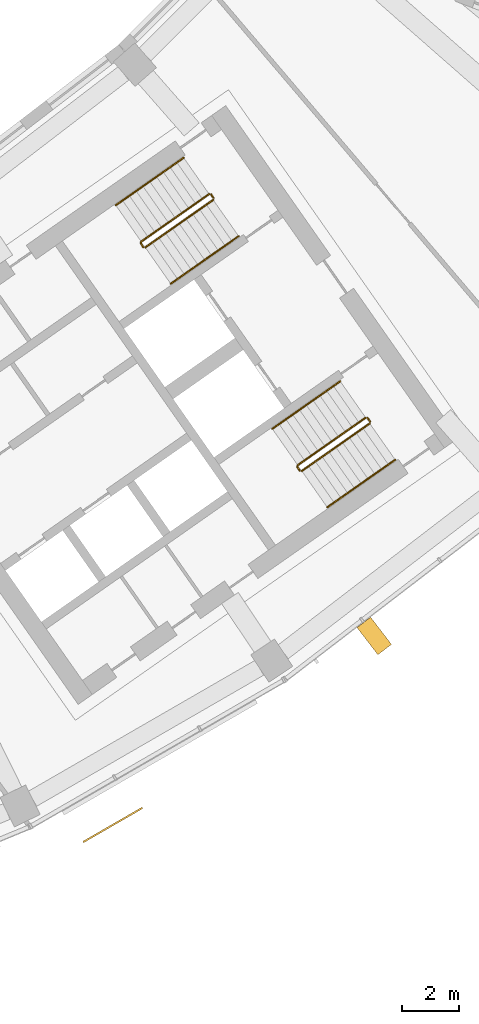
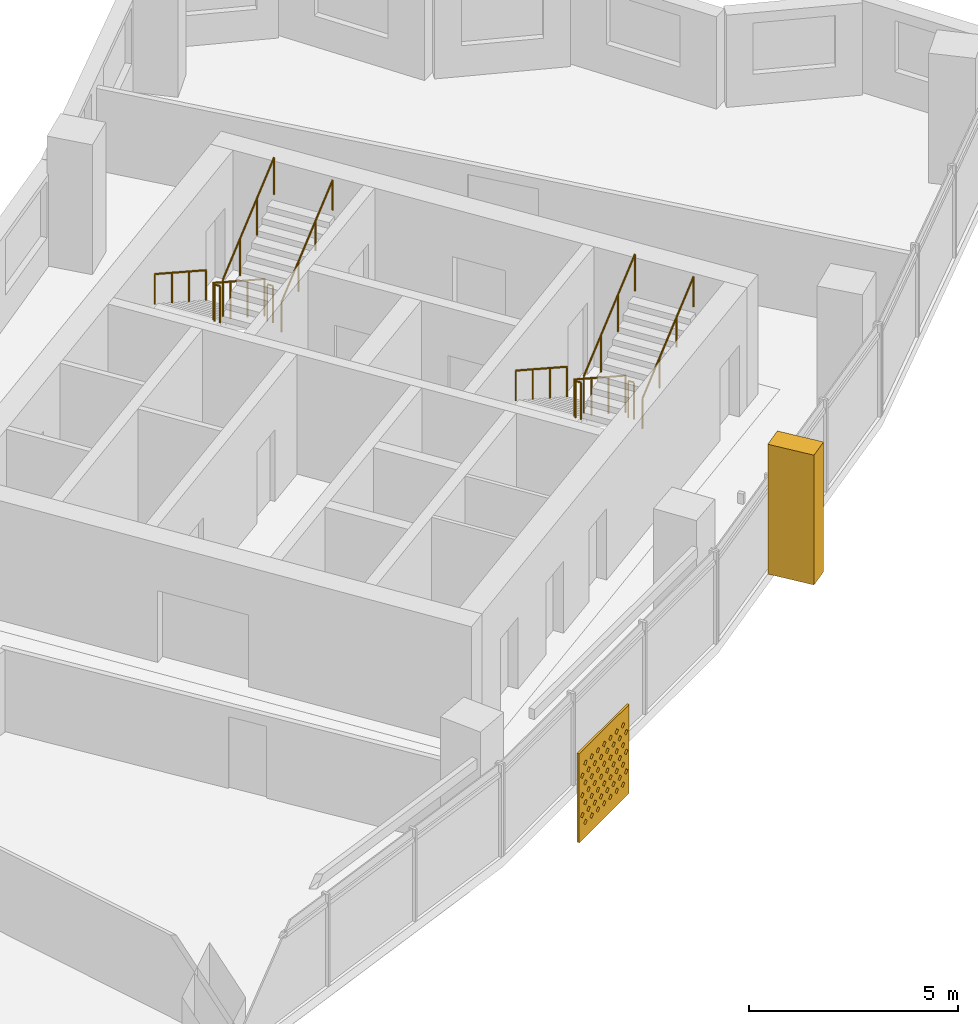
# One storey, part 27 of 28: 10 railings, 2 shading devices.
"""IFC4 building model written with IfcOpenShell, lengths in metres."""

from ifc_helpers import new_model, si_unit, direction, frame, origin, origin_2d, place, context, subcontext, project, spatial, polyline, circle, outline, extrude, material, material_profile, profile_set, type_object, element, save


model = new_model("IFC4")

# Units and contexts
model_context = context("Model", 3, precision=1e-05, world=origin(), true_north=direction((0.0, 1.0)))
body_context = subcontext(model_context, "Body", "Model", "MODEL_VIEW")
ifc_project = project(units=[si_unit("LENGTHUNIT", "METRE"), si_unit("AREAUNIT", "SQUARE_METRE"), si_unit("VOLUMEUNIT", "CUBIC_METRE"), si_unit("PLANEANGLEUNIT", "RADIAN"), si_unit("MASSUNIT", "GRAM", prefix="KILO")], contexts=[model_context])

# Site, building, storey
site_placement = place(None, origin())
site = spatial("IfcSite", under=ifc_project, at=site_placement, CompositionType="ELEMENT")
building_placement = place(site_placement, origin())
building = spatial("IfcBuilding", under=site, at=building_placement, Name="Qamariyya Broadcast Tower", CompositionType="ELEMENT")
storey_placement = place(building_placement, frame((0.0, 0.0, 215.10009765625)))
storey = spatial("IfcBuildingStorey", under=building, at=storey_placement, Name="L51", CompositionType="ELEMENT", Elevation=215.10009765625)

# Shading devices
ifc_material_1 = material(Name="Steel S355 powder coated deep red", Category="steel")
shading_device_type_1 = type_object("IfcShadingDeviceType", Name="Deep red frame, powder coated steel box section", PredefinedType="USERDEFINED", material=ifc_material_1)
shading_device_1_placement = place(storey_placement, origin())
element("IfcShadingDevice", 1, at=shading_device_1_placement, inside=storey, type_object=shading_device_type_1, Name="e-frm-B4-F4-posta-L51", ObjectType="FRAME", PredefinedType="USERDEFINED", context=body_context, shape_type="SweptSolid", body=[
    extrude(outline(polyline([(46.17822265625, -63.489990234375), (46.90869140625, -64.442138671875), (47.384765625, -64.076904296875), (46.654296875, -63.124755859375), (46.17822265625, -63.489990234375)])), origin(), (0.0, 0.0, 1.0), 3.7998046875),
])
ifc_material_2 = material(Name="Perforated glazed terracotta", Category="masonry")
ifc_material_profile = material_profile(ifc_material_2, outline(polyline([(-1.199951171875, -1.300048828125), (1.199951171875, -1.300048828125), (1.199951171875, 1.300048828125), (-1.199951171875, 1.300048828125), (-1.199951171875, -1.300048828125)]), holes=[polyline([(-0.81494140625, -0.86669921875), (-0.89990234375, -0.78173828125), (-0.985107421875, -0.86669921875), (-0.89990234375, -0.95166015625), (-0.81494140625, -0.86669921875)]), polyline([(-0.514892578125, -0.86669921875), (-0.60009765625, -0.78173828125), (-0.68505859375, -0.86669921875), (-0.60009765625, -0.95166015625), (-0.514892578125, -0.86669921875)]), polyline([(-0.215087890625, -0.86669921875), (-0.300048828125, -0.78173828125), (-0.385009765625, -0.86669921875), (-0.300048828125, -0.95166015625), (-0.215087890625, -0.86669921875)]), polyline([(0.0849609375, -0.86669921875), (0.0, -0.78173828125), (-0.0849609375, -0.86669921875), (0.0, -0.95166015625), (0.0849609375, -0.86669921875)]), polyline([(0.385009765625, -0.86669921875), (0.300048828125, -0.78173828125), (0.215087890625, -0.86669921875), (0.300048828125, -0.95166015625), (0.385009765625, -0.86669921875)]), polyline([(0.68505859375, -0.86669921875), (0.60009765625, -0.78173828125), (0.514892578125, -0.86669921875), (0.60009765625, -0.95166015625), (0.68505859375, -0.86669921875)]), polyline([(0.985107421875, -0.86669921875), (0.89990234375, -0.78173828125), (0.81494140625, -0.86669921875), (0.89990234375, -0.95166015625), (0.985107421875, -0.86669921875)]), polyline([(-0.965087890625, -0.577880859375), (-1.050048828125, -0.49267578125), (-1.135009765625, -0.577880859375), (-1.050048828125, -0.662841796875), (-0.965087890625, -0.577880859375)]), polyline([(-0.6650390625, -0.577880859375), (-0.75, -0.49267578125), (-0.8349609375, -0.577880859375), (-0.75, -0.662841796875), (-0.6650390625, -0.577880859375)]), polyline([(-0.364990234375, -0.577880859375), (-0.449951171875, -0.49267578125), (-0.534912109375, -0.577880859375), (-0.449951171875, -0.662841796875), (-0.364990234375, -0.577880859375)]), polyline([(-0.06494140625, -0.577880859375), (-0.14990234375, -0.49267578125), (-0.235107421875, -0.577880859375), (-0.14990234375, -0.662841796875), (-0.06494140625, -0.577880859375)]), polyline([(0.235107421875, -0.577880859375), (0.14990234375, -0.49267578125), (0.06494140625, -0.577880859375), (0.14990234375, -0.662841796875), (0.235107421875, -0.577880859375)]), polyline([(0.534912109375, -0.577880859375), (0.449951171875, -0.49267578125), (0.364990234375, -0.577880859375), (0.449951171875, -0.662841796875), (0.534912109375, -0.577880859375)]), polyline([(0.8349609375, -0.577880859375), (0.75, -0.49267578125), (0.6650390625, -0.577880859375), (0.75, -0.662841796875), (0.8349609375, -0.577880859375)]), polyline([(1.135009765625, -0.577880859375), (1.050048828125, -0.49267578125), (0.965087890625, -0.577880859375), (1.050048828125, -0.662841796875), (1.135009765625, -0.577880859375)]), polyline([(-0.81494140625, -0.288818359375), (-0.89990234375, -0.203857421875), (-0.985107421875, -0.288818359375), (-0.89990234375, -0.373779296875), (-0.81494140625, -0.288818359375)]), polyline([(-0.514892578125, -0.288818359375), (-0.60009765625, -0.203857421875), (-0.68505859375, -0.288818359375), (-0.60009765625, -0.373779296875), (-0.514892578125, -0.288818359375)]), polyline([(-0.215087890625, -0.288818359375), (-0.300048828125, -0.203857421875), (-0.385009765625, -0.288818359375), (-0.300048828125, -0.373779296875), (-0.215087890625, -0.288818359375)]), polyline([(0.0849609375, -0.288818359375), (0.0, -0.203857421875), (-0.0849609375, -0.288818359375), (0.0, -0.373779296875), (0.0849609375, -0.288818359375)]), polyline([(0.385009765625, -0.288818359375), (0.300048828125, -0.203857421875), (0.215087890625, -0.288818359375), (0.300048828125, -0.373779296875), (0.385009765625, -0.288818359375)]), polyline([(0.68505859375, -0.288818359375), (0.60009765625, -0.203857421875), (0.514892578125, -0.288818359375), (0.60009765625, -0.373779296875), (0.68505859375, -0.288818359375)]), polyline([(0.985107421875, -0.288818359375), (0.89990234375, -0.203857421875), (0.81494140625, -0.288818359375), (0.89990234375, -0.373779296875), (0.985107421875, -0.288818359375)]), polyline([(-0.965087890625, 0.0), (-1.050048828125, 0.0849609375), (-1.135009765625, 0.0), (-1.050048828125, -0.0849609375), (-0.965087890625, 0.0)]), polyline([(-0.6650390625, 0.0), (-0.75, 0.0849609375), (-0.8349609375, 0.0), (-0.75, -0.0849609375), (-0.6650390625, 0.0)]), polyline([(-0.364990234375, 0.0), (-0.449951171875, 0.0849609375), (-0.534912109375, 0.0), (-0.449951171875, -0.0849609375), (-0.364990234375, 0.0)]), polyline([(-0.06494140625, 0.0), (-0.14990234375, 0.0849609375), (-0.235107421875, 0.0), (-0.14990234375, -0.0849609375), (-0.06494140625, 0.0)]), polyline([(0.235107421875, 0.0), (0.14990234375, 0.0849609375), (0.06494140625, 0.0), (0.14990234375, -0.0849609375), (0.235107421875, 0.0)]), polyline([(0.534912109375, 0.0), (0.449951171875, 0.0849609375), (0.364990234375, 0.0), (0.449951171875, -0.0849609375), (0.534912109375, 0.0)]), polyline([(0.8349609375, 0.0), (0.75, 0.0849609375), (0.6650390625, 0.0), (0.75, -0.0849609375), (0.8349609375, 0.0)]), polyline([(1.135009765625, 0.0), (1.050048828125, 0.0849609375), (0.965087890625, 0.0), (1.050048828125, -0.0849609375), (1.135009765625, 0.0)]), polyline([(-0.81494140625, 0.288818359375), (-0.89990234375, 0.373779296875), (-0.985107421875, 0.288818359375), (-0.89990234375, 0.203857421875), (-0.81494140625, 0.288818359375)]), polyline([(-0.514892578125, 0.288818359375), (-0.60009765625, 0.373779296875), (-0.68505859375, 0.288818359375), (-0.60009765625, 0.203857421875), (-0.514892578125, 0.288818359375)]), polyline([(-0.215087890625, 0.288818359375), (-0.300048828125, 0.373779296875), (-0.385009765625, 0.288818359375), (-0.300048828125, 0.203857421875), (-0.215087890625, 0.288818359375)]), polyline([(0.0849609375, 0.288818359375), (0.0, 0.373779296875), (-0.0849609375, 0.288818359375), (0.0, 0.203857421875), (0.0849609375, 0.288818359375)]), polyline([(0.385009765625, 0.288818359375), (0.300048828125, 0.373779296875), (0.215087890625, 0.288818359375), (0.300048828125, 0.203857421875), (0.385009765625, 0.288818359375)]), polyline([(0.68505859375, 0.288818359375), (0.60009765625, 0.373779296875), (0.514892578125, 0.288818359375), (0.60009765625, 0.203857421875), (0.68505859375, 0.288818359375)]), polyline([(0.985107421875, 0.288818359375), (0.89990234375, 0.373779296875), (0.81494140625, 0.288818359375), (0.89990234375, 0.203857421875), (0.985107421875, 0.288818359375)]), polyline([(-0.965087890625, 0.577880859375), (-1.050048828125, 0.662841796875), (-1.135009765625, 0.577880859375), (-1.050048828125, 0.49267578125), (-0.965087890625, 0.577880859375)]), polyline([(-0.6650390625, 0.577880859375), (-0.75, 0.662841796875), (-0.8349609375, 0.577880859375), (-0.75, 0.49267578125), (-0.6650390625, 0.577880859375)]), polyline([(-0.364990234375, 0.577880859375), (-0.449951171875, 0.662841796875), (-0.534912109375, 0.577880859375), (-0.449951171875, 0.49267578125), (-0.364990234375, 0.577880859375)]), polyline([(-0.06494140625, 0.577880859375), (-0.14990234375, 0.662841796875), (-0.235107421875, 0.577880859375), (-0.14990234375, 0.49267578125), (-0.06494140625, 0.577880859375)]), polyline([(0.235107421875, 0.577880859375), (0.14990234375, 0.662841796875), (0.06494140625, 0.577880859375), (0.14990234375, 0.49267578125), (0.235107421875, 0.577880859375)]), polyline([(0.534912109375, 0.577880859375), (0.449951171875, 0.662841796875), (0.364990234375, 0.577880859375), (0.449951171875, 0.49267578125), (0.534912109375, 0.577880859375)]), polyline([(0.8349609375, 0.577880859375), (0.75, 0.662841796875), (0.6650390625, 0.577880859375), (0.75, 0.49267578125), (0.8349609375, 0.577880859375)]), polyline([(1.135009765625, 0.577880859375), (1.050048828125, 0.662841796875), (0.965087890625, 0.577880859375), (1.050048828125, 0.49267578125), (1.135009765625, 0.577880859375)]), polyline([(-0.81494140625, 0.86669921875), (-0.89990234375, 0.95166015625), (-0.985107421875, 0.86669921875), (-0.89990234375, 0.78173828125), (-0.81494140625, 0.86669921875)]), polyline([(-0.514892578125, 0.86669921875), (-0.60009765625, 0.95166015625), (-0.68505859375, 0.86669921875), (-0.60009765625, 0.78173828125), (-0.514892578125, 0.86669921875)]), polyline([(-0.215087890625, 0.86669921875), (-0.300048828125, 0.95166015625), (-0.385009765625, 0.86669921875), (-0.300048828125, 0.78173828125), (-0.215087890625, 0.86669921875)]), polyline([(0.0849609375, 0.86669921875), (0.0, 0.95166015625), (-0.0849609375, 0.86669921875), (0.0, 0.78173828125), (0.0849609375, 0.86669921875)]), polyline([(0.385009765625, 0.86669921875), (0.300048828125, 0.95166015625), (0.215087890625, 0.86669921875), (0.300048828125, 0.78173828125), (0.385009765625, 0.86669921875)]), polyline([(0.68505859375, 0.86669921875), (0.60009765625, 0.95166015625), (0.514892578125, 0.86669921875), (0.60009765625, 0.78173828125), (0.68505859375, 0.86669921875)]), polyline([(0.985107421875, 0.86669921875), (0.89990234375, 0.95166015625), (0.81494140625, 0.86669921875), (0.89990234375, 0.78173828125), (0.985107421875, 0.86669921875)])]))
ifc_profile_set = profile_set([ifc_material_profile], Name="Perforated glazed terracotta")
shading_device_type_2 = type_object("IfcShadingDeviceType", Name="Perforated terracotta screen 2400 x 2600", PredefinedType="USERDEFINED", material=ifc_profile_set)
shading_device_2_placement = place(storey_placement, frame((37.6171875, -70.370849609375, 1.349853515625), z_axis=(0.500074377092, -0.865982457891, 0.0), x_axis=(0.865982457891, 0.500074377092, 0.0)))
element("IfcShadingDevice", 2, at=shading_device_2_placement, inside=storey, type_object=shading_device_type_2, Name="e-scr-L51-12-0", ObjectType="SCREEN", PredefinedType="USERDEFINED", context=body_context, shape_type="SweptSolid", body=[
    extrude(outline(polyline([(-1.199951171875, -1.300048828125), (1.199951171875, -1.300048828125), (1.199951171875, 1.300048828125), (-1.199951171875, 1.300048828125), (-1.199951171875, -1.300048828125)]), holes=[polyline([(-0.81494140625, -0.86669921875), (-0.89990234375, -0.78173828125), (-0.985107421875, -0.86669921875), (-0.89990234375, -0.95166015625), (-0.81494140625, -0.86669921875)]), polyline([(-0.514892578125, -0.86669921875), (-0.60009765625, -0.78173828125), (-0.68505859375, -0.86669921875), (-0.60009765625, -0.95166015625), (-0.514892578125, -0.86669921875)]), polyline([(-0.215087890625, -0.86669921875), (-0.300048828125, -0.78173828125), (-0.385009765625, -0.86669921875), (-0.300048828125, -0.95166015625), (-0.215087890625, -0.86669921875)]), polyline([(0.0849609375, -0.86669921875), (0.0, -0.78173828125), (-0.0849609375, -0.86669921875), (0.0, -0.95166015625), (0.0849609375, -0.86669921875)]), polyline([(0.385009765625, -0.86669921875), (0.300048828125, -0.78173828125), (0.215087890625, -0.86669921875), (0.300048828125, -0.95166015625), (0.385009765625, -0.86669921875)]), polyline([(0.68505859375, -0.86669921875), (0.60009765625, -0.78173828125), (0.514892578125, -0.86669921875), (0.60009765625, -0.95166015625), (0.68505859375, -0.86669921875)]), polyline([(0.985107421875, -0.86669921875), (0.89990234375, -0.78173828125), (0.81494140625, -0.86669921875), (0.89990234375, -0.95166015625), (0.985107421875, -0.86669921875)]), polyline([(-0.965087890625, -0.577880859375), (-1.050048828125, -0.49267578125), (-1.135009765625, -0.577880859375), (-1.050048828125, -0.662841796875), (-0.965087890625, -0.577880859375)]), polyline([(-0.6650390625, -0.577880859375), (-0.75, -0.49267578125), (-0.8349609375, -0.577880859375), (-0.75, -0.662841796875), (-0.6650390625, -0.577880859375)]), polyline([(-0.364990234375, -0.577880859375), (-0.449951171875, -0.49267578125), (-0.534912109375, -0.577880859375), (-0.449951171875, -0.662841796875), (-0.364990234375, -0.577880859375)]), polyline([(-0.06494140625, -0.577880859375), (-0.14990234375, -0.49267578125), (-0.235107421875, -0.577880859375), (-0.14990234375, -0.662841796875), (-0.06494140625, -0.577880859375)]), polyline([(0.235107421875, -0.577880859375), (0.14990234375, -0.49267578125), (0.06494140625, -0.577880859375), (0.14990234375, -0.662841796875), (0.235107421875, -0.577880859375)]), polyline([(0.534912109375, -0.577880859375), (0.449951171875, -0.49267578125), (0.364990234375, -0.577880859375), (0.449951171875, -0.662841796875), (0.534912109375, -0.577880859375)]), polyline([(0.8349609375, -0.577880859375), (0.75, -0.49267578125), (0.6650390625, -0.577880859375), (0.75, -0.662841796875), (0.8349609375, -0.577880859375)]), polyline([(1.135009765625, -0.577880859375), (1.050048828125, -0.49267578125), (0.965087890625, -0.577880859375), (1.050048828125, -0.662841796875), (1.135009765625, -0.577880859375)]), polyline([(-0.81494140625, -0.288818359375), (-0.89990234375, -0.203857421875), (-0.985107421875, -0.288818359375), (-0.89990234375, -0.373779296875), (-0.81494140625, -0.288818359375)]), polyline([(-0.514892578125, -0.288818359375), (-0.60009765625, -0.203857421875), (-0.68505859375, -0.288818359375), (-0.60009765625, -0.373779296875), (-0.514892578125, -0.288818359375)]), polyline([(-0.215087890625, -0.288818359375), (-0.300048828125, -0.203857421875), (-0.385009765625, -0.288818359375), (-0.300048828125, -0.373779296875), (-0.215087890625, -0.288818359375)]), polyline([(0.0849609375, -0.288818359375), (0.0, -0.203857421875), (-0.0849609375, -0.288818359375), (0.0, -0.373779296875), (0.0849609375, -0.288818359375)]), polyline([(0.385009765625, -0.288818359375), (0.300048828125, -0.203857421875), (0.215087890625, -0.288818359375), (0.300048828125, -0.373779296875), (0.385009765625, -0.288818359375)]), polyline([(0.68505859375, -0.288818359375), (0.60009765625, -0.203857421875), (0.514892578125, -0.288818359375), (0.60009765625, -0.373779296875), (0.68505859375, -0.288818359375)]), polyline([(0.985107421875, -0.288818359375), (0.89990234375, -0.203857421875), (0.81494140625, -0.288818359375), (0.89990234375, -0.373779296875), (0.985107421875, -0.288818359375)]), polyline([(-0.965087890625, 0.0), (-1.050048828125, 0.0849609375), (-1.135009765625, 0.0), (-1.050048828125, -0.0849609375), (-0.965087890625, 0.0)]), polyline([(-0.6650390625, 0.0), (-0.75, 0.0849609375), (-0.8349609375, 0.0), (-0.75, -0.0849609375), (-0.6650390625, 0.0)]), polyline([(-0.364990234375, 0.0), (-0.449951171875, 0.0849609375), (-0.534912109375, 0.0), (-0.449951171875, -0.0849609375), (-0.364990234375, 0.0)]), polyline([(-0.06494140625, 0.0), (-0.14990234375, 0.0849609375), (-0.235107421875, 0.0), (-0.14990234375, -0.0849609375), (-0.06494140625, 0.0)]), polyline([(0.235107421875, 0.0), (0.14990234375, 0.0849609375), (0.06494140625, 0.0), (0.14990234375, -0.0849609375), (0.235107421875, 0.0)]), polyline([(0.534912109375, 0.0), (0.449951171875, 0.0849609375), (0.364990234375, 0.0), (0.449951171875, -0.0849609375), (0.534912109375, 0.0)]), polyline([(0.8349609375, 0.0), (0.75, 0.0849609375), (0.6650390625, 0.0), (0.75, -0.0849609375), (0.8349609375, 0.0)]), polyline([(1.135009765625, 0.0), (1.050048828125, 0.0849609375), (0.965087890625, 0.0), (1.050048828125, -0.0849609375), (1.135009765625, 0.0)]), polyline([(-0.81494140625, 0.288818359375), (-0.89990234375, 0.373779296875), (-0.985107421875, 0.288818359375), (-0.89990234375, 0.203857421875), (-0.81494140625, 0.288818359375)]), polyline([(-0.514892578125, 0.288818359375), (-0.60009765625, 0.373779296875), (-0.68505859375, 0.288818359375), (-0.60009765625, 0.203857421875), (-0.514892578125, 0.288818359375)]), polyline([(-0.215087890625, 0.288818359375), (-0.300048828125, 0.373779296875), (-0.385009765625, 0.288818359375), (-0.300048828125, 0.203857421875), (-0.215087890625, 0.288818359375)]), polyline([(0.0849609375, 0.288818359375), (0.0, 0.373779296875), (-0.0849609375, 0.288818359375), (0.0, 0.203857421875), (0.0849609375, 0.288818359375)]), polyline([(0.385009765625, 0.288818359375), (0.300048828125, 0.373779296875), (0.215087890625, 0.288818359375), (0.300048828125, 0.203857421875), (0.385009765625, 0.288818359375)]), polyline([(0.68505859375, 0.288818359375), (0.60009765625, 0.373779296875), (0.514892578125, 0.288818359375), (0.60009765625, 0.203857421875), (0.68505859375, 0.288818359375)]), polyline([(0.985107421875, 0.288818359375), (0.89990234375, 0.373779296875), (0.81494140625, 0.288818359375), (0.89990234375, 0.203857421875), (0.985107421875, 0.288818359375)]), polyline([(-0.965087890625, 0.577880859375), (-1.050048828125, 0.662841796875), (-1.135009765625, 0.577880859375), (-1.050048828125, 0.49267578125), (-0.965087890625, 0.577880859375)]), polyline([(-0.6650390625, 0.577880859375), (-0.75, 0.662841796875), (-0.8349609375, 0.577880859375), (-0.75, 0.49267578125), (-0.6650390625, 0.577880859375)]), polyline([(-0.364990234375, 0.577880859375), (-0.449951171875, 0.662841796875), (-0.534912109375, 0.577880859375), (-0.449951171875, 0.49267578125), (-0.364990234375, 0.577880859375)]), polyline([(-0.06494140625, 0.577880859375), (-0.14990234375, 0.662841796875), (-0.235107421875, 0.577880859375), (-0.14990234375, 0.49267578125), (-0.06494140625, 0.577880859375)]), polyline([(0.235107421875, 0.577880859375), (0.14990234375, 0.662841796875), (0.06494140625, 0.577880859375), (0.14990234375, 0.49267578125), (0.235107421875, 0.577880859375)]), polyline([(0.534912109375, 0.577880859375), (0.449951171875, 0.662841796875), (0.364990234375, 0.577880859375), (0.449951171875, 0.49267578125), (0.534912109375, 0.577880859375)]), polyline([(0.8349609375, 0.577880859375), (0.75, 0.662841796875), (0.6650390625, 0.577880859375), (0.75, 0.49267578125), (0.8349609375, 0.577880859375)]), polyline([(1.135009765625, 0.577880859375), (1.050048828125, 0.662841796875), (0.965087890625, 0.577880859375), (1.050048828125, 0.49267578125), (1.135009765625, 0.577880859375)]), polyline([(-0.81494140625, 0.86669921875), (-0.89990234375, 0.95166015625), (-0.985107421875, 0.86669921875), (-0.89990234375, 0.78173828125), (-0.81494140625, 0.86669921875)]), polyline([(-0.514892578125, 0.86669921875), (-0.60009765625, 0.95166015625), (-0.68505859375, 0.86669921875), (-0.60009765625, 0.78173828125), (-0.514892578125, 0.86669921875)]), polyline([(-0.215087890625, 0.86669921875), (-0.300048828125, 0.95166015625), (-0.385009765625, 0.86669921875), (-0.300048828125, 0.78173828125), (-0.215087890625, 0.86669921875)]), polyline([(0.0849609375, 0.86669921875), (0.0, 0.95166015625), (-0.0849609375, 0.86669921875), (0.0, 0.78173828125), (0.0849609375, 0.86669921875)]), polyline([(0.385009765625, 0.86669921875), (0.300048828125, 0.95166015625), (0.215087890625, 0.86669921875), (0.300048828125, 0.78173828125), (0.385009765625, 0.86669921875)]), polyline([(0.68505859375, 0.86669921875), (0.60009765625, 0.95166015625), (0.514892578125, 0.86669921875), (0.60009765625, 0.78173828125), (0.68505859375, 0.86669921875)]), polyline([(0.985107421875, 0.86669921875), (0.89990234375, 0.95166015625), (0.81494140625, 0.86669921875), (0.89990234375, 0.78173828125), (0.985107421875, 0.86669921875)])]), origin(), (0.0, 0.0, 1.0), 0.06005859375),
])

# Railings
ifc_material_3 = material(Name="Painted steel", Category="steel")
railing_type_1 = type_object("IfcRailingType", Name="Stair guard", PredefinedType="GUARDRAIL", material=ifc_material_3)
railing_1_placement = place(storey_placement, frame((41.003173828125, -48.320068359375, 0.172607421875)))
element("IfcRailing", 3, at=railing_1_placement, inside=storey, type_object=railing_type_1, Name="L51 ST-E2 stair guard 1", PredefinedType="GUARDRAIL", context=body_context, shape_type="SweptSolid", body=[
    extrude(circle(Radius=0.02392578125, at=origin_2d()), frame((0.0, 0.0, 1.076171875), z_axis=(-0.703770094002, -0.492783725636, 0.511734163933), x_axis=(0.573575343427, -0.819152809562, 0.0)), (0.0, 0.0, 1.0), 3.37548828125),
    extrude(circle(Radius=0.02392578125, at=origin_2d()), frame((-2.37548828125, -1.663330078125, 2.80322265625), z_axis=(-0.172799478008, -0.984957024646, 0.0), x_axis=(0.984957024646, -0.172799478008, 0.0)), (0.0, 0.0, 1.0), 0.070556640625),
    extrude(circle(Radius=0.02392578125, at=origin_2d()), frame((-2.3876953125, -1.73291015625, 2.80322265625), z_axis=(0.572588637393, -0.819842821722, 0.0), x_axis=(0.819842821722, 0.572588637393, 0.0)), (0.0, 0.0, 1.0), 0.150146484375),
    extrude(circle(Radius=0.02099609375, at=origin_2d()), origin(), (0.0, 0.0, 1.0), 1.052001953125),
    extrude(circle(Radius=0.02099609375, at=origin_2d()), frame((-0.791748046875, -0.554443359375, 0.57568359375)), (0.0, 0.0, 1.0), 1.052001953125),
    extrude(circle(Radius=0.02099609375, at=origin_2d()), frame((-1.583740234375, -1.10888671875, 1.151611328125)), (0.0, 0.0, 1.0), 1.052001953125),
    extrude(circle(Radius=0.02099609375, at=origin_2d()), frame((-2.37548828125, -1.663330078125, 1.727294921875)), (0.0, 0.0, 1.0), 1.052001953125),
    extrude(circle(Radius=0.02099609375, at=origin_2d()), frame((-2.3876953125, -1.73291015625, 1.727294921875)), (0.0, 0.0, 1.0), 1.052001953125),
    extrude(circle(Radius=0.02099609375, at=origin_2d()), frame((-2.3017578125, -1.85595703125, 1.727294921875)), (0.0, 0.0, 1.0), 1.052001953125),
])
railing_2_placement = place(storey_placement, frame((38.771240234375, -50.188232421875, 2.072509765625)))
element("IfcRailing", 4, at=railing_2_placement, inside=storey, type_object=railing_type_1, Name="L51 ST-E2 stair guard 2", PredefinedType="GUARDRAIL", context=body_context, shape_type="SweptSolid", body=[
    extrude(circle(Radius=0.02392578125, at=origin_2d()), frame((0.0, 0.0, 1.076171875), z_axis=(0.703770094002, 0.492783725636, 0.511734163933), x_axis=(-0.573575343427, 0.819152809562, 0.0)), (0.0, 0.0, 1.0), 3.37548828125),
    extrude(circle(Radius=0.02099609375, at=origin_2d()), origin(), (0.0, 0.0, 1.0), 1.052001953125),
    extrude(circle(Radius=0.02099609375, at=origin_2d()), frame((0.791748046875, 0.554443359375, 0.57568359375)), (0.0, 0.0, 1.0), 1.052001953125),
    extrude(circle(Radius=0.02099609375, at=origin_2d()), frame((1.583740234375, 1.10888671875, 1.151611328125)), (0.0, 0.0, 1.0), 1.052001953125),
    extrude(circle(Radius=0.02099609375, at=origin_2d()), frame((2.37548828125, 1.663330078125, 1.727294921875)), (0.0, 0.0, 1.0), 1.052001953125),
])
railing_3_placement = place(storey_placement, frame((41.072998046875, -48.332275390625, 0.0)))
element("IfcRailing", 5, at=railing_3_placement, inside=storey, type_object=railing_type_1, Name="L51 ST-E2 stair guard 3", PredefinedType="GUARDRAIL", context=body_context, shape_type="SweptSolid", body=[
    extrude(circle(Radius=0.02392578125, at=origin_2d()), frame((0.0, 0.0, 1.076171875), z_axis=(0.572588637393, -0.819842821722, 0.0), x_axis=(0.819842821722, 0.572588637393, 0.0)), (0.0, 0.0, 1.0), 0.150146484375),
    extrude(circle(Radius=0.02099609375, at=origin_2d()), origin(), (0.0, 0.0, 1.0), 1.052001953125),
    extrude(circle(Radius=0.02099609375, at=origin_2d()), frame((0.0859375, -0.123046875, 0.0)), (0.0, 0.0, 1.0), 1.052001953125),
])
railing_4_placement = place(storey_placement, frame((46.48095703125, -56.14306640625, 0.172607421875)))
element("IfcRailing", 6, at=railing_4_placement, inside=storey, type_object=railing_type_1, Name="L51 ST-E1 stair guard 1", PredefinedType="GUARDRAIL", context=body_context, shape_type="SweptSolid", body=[
    extrude(circle(Radius=0.02392578125, at=origin_2d()), frame((0.0, 0.0, 1.076171875), z_axis=(-0.703770094002, -0.492783725636, 0.511734163933), x_axis=(0.573575343427, -0.819152809562, 0.0)), (0.0, 0.0, 1.0), 3.37548828125),
    extrude(circle(Radius=0.02392578125, at=origin_2d()), frame((-2.37548828125, -1.663330078125, 2.80322265625), z_axis=(-0.176149252506, -0.984363469884, 0.0), x_axis=(0.984363469884, -0.176149252506, 0.0)), (0.0, 0.0, 1.0), 0.07080078125),
    extrude(circle(Radius=0.02392578125, at=origin_2d()), frame((-2.387939453125, -1.73291015625, 2.80322265625), z_axis=(0.574444878118, -0.818543268254, 0.0), x_axis=(0.818543268254, 0.574444878118, 0.0)), (0.0, 0.0, 1.0), 0.150146484375),
    extrude(circle(Radius=0.02099609375, at=origin_2d()), origin(), (0.0, 0.0, 1.0), 1.052001953125),
    extrude(circle(Radius=0.02099609375, at=origin_2d()), frame((-0.791748046875, -0.554443359375, 0.57568359375)), (0.0, 0.0, 1.0), 1.052001953125),
    extrude(circle(Radius=0.02099609375, at=origin_2d()), frame((-1.583740234375, -1.10888671875, 1.151611328125)), (0.0, 0.0, 1.0), 1.052001953125),
    extrude(circle(Radius=0.02099609375, at=origin_2d()), frame((-2.37548828125, -1.663330078125, 1.727294921875)), (0.0, 0.0, 1.0), 1.052001953125),
    extrude(circle(Radius=0.02099609375, at=origin_2d()), frame((-2.387939453125, -1.73291015625, 1.727294921875)), (0.0, 0.0, 1.0), 1.052001953125),
    extrude(circle(Radius=0.02099609375, at=origin_2d()), frame((-2.3017578125, -1.855712890625, 1.727294921875)), (0.0, 0.0, 1.0), 1.052001953125),
])
railing_5_placement = place(storey_placement, frame((44.248779296875, -58.01123046875, 2.072509765625)))
element("IfcRailing", 7, at=railing_5_placement, inside=storey, type_object=railing_type_1, Name="L51 ST-E1 stair guard 2", PredefinedType="GUARDRAIL", context=body_context, shape_type="SweptSolid", body=[
    extrude(circle(Radius=0.02392578125, at=origin_2d()), frame((0.0, 0.0, 1.076171875), z_axis=(0.703745009021, 0.492838488332, 0.511715923826), x_axis=(-0.573631830683, 0.819113253969, 0.0)), (0.0, 0.0, 1.0), 3.37548828125),
    extrude(circle(Radius=0.02099609375, at=origin_2d()), origin(), (0.0, 0.0, 1.0), 1.052001953125),
    extrude(circle(Radius=0.02099609375, at=origin_2d()), frame((0.791748046875, 0.554443359375, 0.57568359375)), (0.0, 0.0, 1.0), 1.052001953125),
    extrude(circle(Radius=0.02099609375, at=origin_2d()), frame((1.583740234375, 1.109130859375, 1.151611328125)), (0.0, 0.0, 1.0), 1.052001953125),
    extrude(circle(Radius=0.02099609375, at=origin_2d()), frame((2.37548828125, 1.66357421875, 1.727294921875)), (0.0, 0.0, 1.0), 1.052001953125),
])
railing_6_placement = place(storey_placement, frame((46.550537109375, -56.1552734375, 0.0)))
element("IfcRailing", 8, at=railing_6_placement, inside=storey, type_object=railing_type_1, Name="L51 ST-E1 stair guard 3", PredefinedType="GUARDRAIL", context=body_context, shape_type="SweptSolid", body=[
    extrude(circle(Radius=0.02392578125, at=origin_2d()), frame((0.0, 0.0, 1.076171875), z_axis=(0.574444878118, -0.818543268254, 0.0), x_axis=(0.818543268254, 0.574444878118, 0.0)), (0.0, 0.0, 1.0), 0.150146484375),
    extrude(circle(Radius=0.02099609375, at=origin_2d()), origin(), (0.0, 0.0, 1.0), 1.052001953125),
    extrude(circle(Radius=0.02099609375, at=origin_2d()), frame((0.086181640625, -0.122802734375, 0.0)), (0.0, 0.0, 1.0), 1.052001953125),
])
ifc_material_4 = material(Name="Stainless steel", Category="steel")
railing_type_2 = type_object("IfcRailingType", Name="Stair handrail", PredefinedType="HANDRAIL", material=ifc_material_4)
railing_7_placement = place(storey_placement, frame((40.1142578125, -47.05029296875, 0.172607421875)))
element("IfcRailing", 9, at=railing_7_placement, inside=storey, type_object=railing_type_2, Name="L51 ST-E2 stair handrail 1", PredefinedType="HANDRAIL", context=body_context, shape_type="SweptSolid", body=[
    extrude(circle(Radius=0.02392578125, at=origin_2d()), frame((0.0, 0.0, 0.8759765625), z_axis=(-0.703745009021, -0.492838488332, 0.511715923826), x_axis=(0.573631830683, -0.819113253969, 0.0)), (0.0, 0.0, 1.0), 3.37548828125),
    extrude(circle(Radius=0.02099609375, at=origin_2d()), origin(), (0.0, 0.0, 1.0), 0.851806640625),
    extrude(circle(Radius=0.02099609375, at=origin_2d()), frame((-0.791748046875, -0.554443359375, 0.57568359375)), (0.0, 0.0, 1.0), 0.851806640625),
    extrude(circle(Radius=0.02099609375, at=origin_2d()), frame((-1.583740234375, -1.109130859375, 1.151611328125)), (0.0, 0.0, 1.0), 0.851806640625),
    extrude(circle(Radius=0.02099609375, at=origin_2d()), frame((-2.37548828125, -1.66357421875, 1.727294921875)), (0.0, 0.0, 1.0), 0.851806640625),
])
railing_8_placement = place(storey_placement, frame((39.66015625, -51.4580078125, 2.072509765625)))
element("IfcRailing", 10, at=railing_8_placement, inside=storey, type_object=railing_type_2, Name="L51 ST-E2 stair handrail 2", PredefinedType="HANDRAIL", context=body_context, shape_type="SweptSolid", body=[
    extrude(circle(Radius=0.02392578125, at=origin_2d()), frame((0.0, 0.0, 0.8759765625), z_axis=(0.703745009021, 0.492838488332, 0.511715923826), x_axis=(-0.573631830683, 0.819113253969, 0.0)), (0.0, 0.0, 1.0), 3.37548828125),
    extrude(circle(Radius=0.02099609375, at=origin_2d()), origin(), (0.0, 0.0, 1.0), 0.851806640625),
    extrude(circle(Radius=0.02099609375, at=origin_2d()), frame((0.791748046875, 0.554443359375, 0.57568359375)), (0.0, 0.0, 1.0), 0.851806640625),
    extrude(circle(Radius=0.02099609375, at=origin_2d()), frame((1.583740234375, 1.109130859375, 1.151611328125)), (0.0, 0.0, 1.0), 0.851806640625),
    extrude(circle(Radius=0.02099609375, at=origin_2d()), frame((2.37548828125, 1.66357421875, 1.727294921875)), (0.0, 0.0, 1.0), 0.851806640625),
])
railing_9_placement = place(storey_placement, frame((45.591796875, -54.873291015625, 0.172607421875)))
element("IfcRailing", 11, at=railing_9_placement, inside=storey, type_object=railing_type_2, Name="L51 ST-E1 stair handrail 1", PredefinedType="HANDRAIL", context=body_context, shape_type="SweptSolid", body=[
    extrude(circle(Radius=0.02392578125, at=origin_2d()), frame((0.0, 0.0, 0.8759765625), z_axis=(-0.703770094002, -0.492783725636, 0.511734163933), x_axis=(0.573575343427, -0.819152809562, 0.0)), (0.0, 0.0, 1.0), 3.37548828125),
    extrude(circle(Radius=0.02099609375, at=origin_2d()), origin(), (0.0, 0.0, 1.0), 0.851806640625),
    extrude(circle(Radius=0.02099609375, at=origin_2d()), frame((-0.791748046875, -0.554443359375, 0.57568359375)), (0.0, 0.0, 1.0), 0.851806640625),
    extrude(circle(Radius=0.02099609375, at=origin_2d()), frame((-1.583740234375, -1.10888671875, 1.151611328125)), (0.0, 0.0, 1.0), 0.851806640625),
    extrude(circle(Radius=0.02099609375, at=origin_2d()), frame((-2.37548828125, -1.663330078125, 1.727294921875)), (0.0, 0.0, 1.0), 0.851806640625),
])
railing_10_placement = place(storey_placement, frame((45.137939453125, -59.28076171875, 2.072509765625)))
element("IfcRailing", 12, at=railing_10_placement, inside=storey, type_object=railing_type_2, Name="L51 ST-E1 stair handrail 2", PredefinedType="HANDRAIL", context=body_context, shape_type="SweptSolid", body=[
    extrude(circle(Radius=0.02392578125, at=origin_2d()), frame((0.0, 0.0, 0.8759765625), z_axis=(0.703770094002, 0.492783725636, 0.511734163933), x_axis=(-0.573575343427, 0.819152809562, 0.0)), (0.0, 0.0, 1.0), 3.37548828125),
    extrude(circle(Radius=0.02099609375, at=origin_2d()), origin(), (0.0, 0.0, 1.0), 0.851806640625),
    extrude(circle(Radius=0.02099609375, at=origin_2d()), frame((0.791748046875, 0.554443359375, 0.57568359375)), (0.0, 0.0, 1.0), 0.851806640625),
    extrude(circle(Radius=0.02099609375, at=origin_2d()), frame((1.583740234375, 1.10888671875, 1.151611328125)), (0.0, 0.0, 1.0), 0.851806640625),
    extrude(circle(Radius=0.02099609375, at=origin_2d()), frame((2.37548828125, 1.663330078125, 1.727294921875)), (0.0, 0.0, 1.0), 0.851806640625),
])

save(model, "model.ifc")
